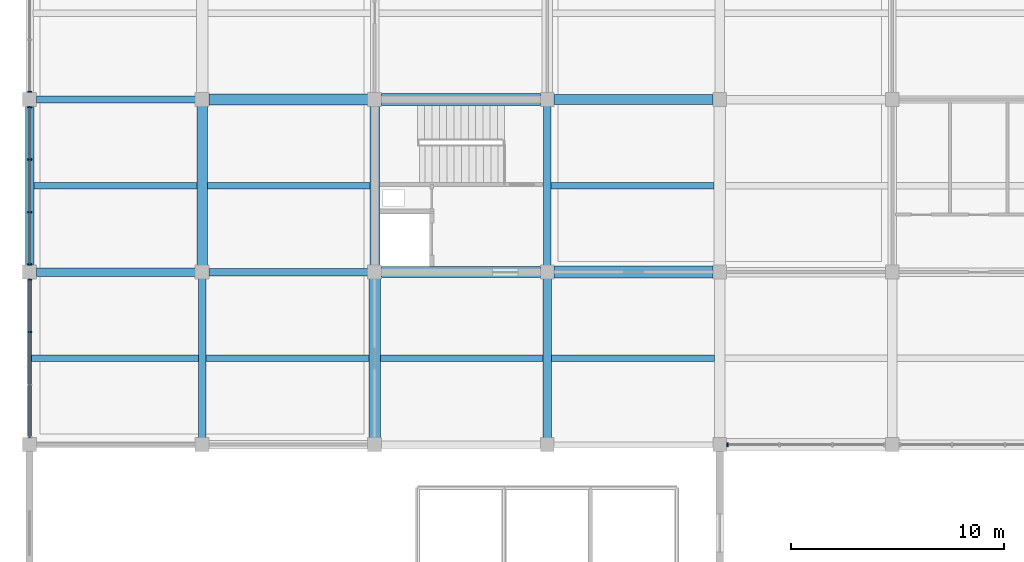
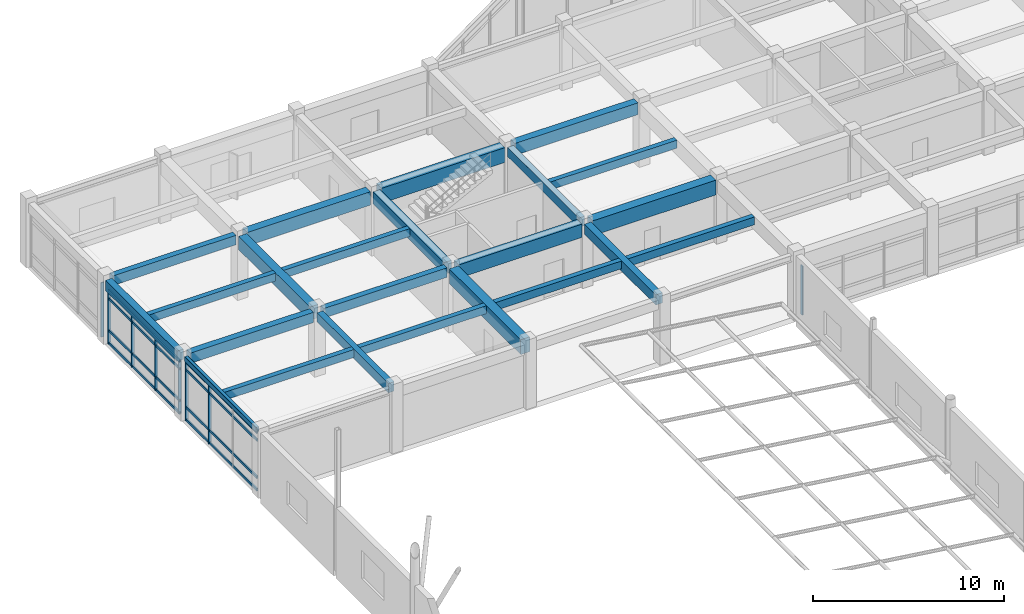
# One storey, part 31 of 89: 23 beams, 16 members, 4 elements without a shape of their own.
"""IFC4 building model written with IfcOpenShell, lengths in metres."""

from ifc_helpers import new_model, si_unit, direction, frame, origin, origin_2d, place, context, subcontext, project, spatial, rectangle, hollow_rectangle, extrude, material, layer, layer_set, material_profile, profile_set, type_object, element, aggregate, save


model = new_model("IFC4")

# Units and contexts
model_context = context("Model", 3, precision=1e-05, world=origin(), true_north=direction((0.0, 1.0)))
body_context = subcontext(model_context, "Body", "Model", "MODEL_VIEW")
ifc_project = project(units=[si_unit("LENGTHUNIT", "METRE"), si_unit("AREAUNIT", "SQUARE_METRE"), si_unit("VOLUMEUNIT", "CUBIC_METRE"), si_unit("PLANEANGLEUNIT", "RADIAN"), si_unit("MASSUNIT", "GRAM", prefix="KILO")], contexts=[model_context])

# Site, building, storey
site_placement = place(None, origin())
site = spatial("IfcSite", under=ifc_project, at=site_placement, CompositionType="ELEMENT")
building_placement = place(site_placement, origin())
building = spatial("IfcBuilding", under=site, at=building_placement, Name="Vaudrelin Polytechnic", CompositionType="ELEMENT")
storey_placement = place(building_placement, frame((0.0, 0.0, 9.68994140625)))
storey = spatial("IfcBuildingStorey", under=building, at=storey_placement, Name="L02", CompositionType="ELEMENT", Elevation=9.68994140625)

# Beams
ifc_material_1 = material(Name="Concrete 40 MPa", Category="concrete")
ifc_material_profile_1 = material_profile(ifc_material_1, rectangle(XDim=0.35009765625, YDim=0.60009765625, at=origin_2d()), Name="RC350x600")
ifc_profile_set_1 = profile_set([ifc_material_profile_1], Name="Concrete 40 MPa")
beam_type_1 = type_object("IfcBeamType", Name="BM-BM-RC3560", PredefinedType="BEAM", material=ifc_profile_set_1)
for number, where, z_axis, x_axis, name in (
    (1, (8.10009765625, 97.510009765625, 3.780029296875), (0.0, 1.0, 0.0), (-1.0, 0.0, 0.0), "L02 Y-beam 2-13"),
    (2, (24.300048828125, 105.610107421875, 3.780029296875), (0.0, 1.0, 0.0), (-1.0, 0.0, 0.0), "L02 Y-beam 4-14"),
):
    element("IfcBeam", number, at=place(storey_placement, frame(where, z_axis=z_axis, x_axis=x_axis)), inside=storey, type_object=beam_type_1, Name=name, PredefinedType="BEAM", context=body_context, shape_type="SweptSolid", body=[
        extrude(rectangle(XDim=0.35009765625, YDim=0.60009765625, at=origin_2d()), origin(), (0.0, 0.0, 1.0), 7.47998046875),
    ])
for number, where, z_axis, x_axis, name in (
    (3, (0.321044921875, 113.39990234375, 3.780029296875), (1.0, 0.0, 0.0), (0.0, 1.0, 0.0), "L02 X-beam 1-15"),
    (4, (8.4208984375, 105.300048828125, 3.780029296875), (1.0, 0.0, 0.0), (0.0, 1.0, 0.0), "L02 X-beam 2-14"),
):
    element("IfcBeam", number, at=place(storey_placement, frame(where, z_axis=z_axis, x_axis=x_axis)), inside=storey, type_object=beam_type_1, Name=name, PredefinedType="BEAM", context=body_context, shape_type="SweptSolid", body=[
        extrude(rectangle(XDim=0.35009765625, YDim=0.60009765625, at=origin_2d()), origin(), (0.0, 0.0, 1.0), 7.4580078125),
    ])
ifc_material_profile_2 = material_profile(ifc_material_1, rectangle(XDim=0.39990234375, YDim=0.64990234375, at=origin_2d()), Name="RC400x650")
ifc_profile_set_2 = profile_set([ifc_material_profile_2], Name="Concrete 40 MPa")
beam_type_2 = type_object("IfcBeamType", Name="BM-BM-RC4065", PredefinedType="BEAM", material=ifc_profile_set_2)
for number, where, z_axis, x_axis, name in (
    (5, (0.0, 105.610107421875, 3.755126953125), (0.0, 1.0, 0.0), (-1.0, 0.0, 0.0), "L02 Y-beam 1-14"),
    (6, (24.300048828125, 97.510009765625, 3.755126953125), (0.0, 1.0, 0.0), (-1.0, 0.0, 0.0), "L02 Y-beam 4-13"),
):
    element("IfcBeam", number, at=place(storey_placement, frame(where, z_axis=z_axis, x_axis=x_axis)), inside=storey, type_object=beam_type_2, Name=name, PredefinedType="BEAM", context=body_context, shape_type="SweptSolid", body=[
        extrude(rectangle(XDim=0.39990234375, YDim=0.64990234375, at=origin_2d()), origin(), (0.0, 0.0, 1.0), 7.47998046875),
    ])
beam_1_placement = place(storey_placement, frame((0.321044921875, 105.300048828125, 3.755126953125), z_axis=(1.0, 0.0, 0.0), x_axis=(0.0, 1.0, 0.0)))
element("IfcBeam", 7, at=beam_1_placement, inside=storey, type_object=beam_type_2, Name="L02 X-beam 1-14", PredefinedType="BEAM", context=body_context, shape_type="SweptSolid", body=[
    extrude(rectangle(XDim=0.39990234375, YDim=0.64990234375, at=origin_2d()), origin(), (0.0, 0.0, 1.0), 7.4580078125),
])
ifc_material_profile_3 = material_profile(ifc_material_1, rectangle(XDim=0.449951171875, YDim=0.75, at=origin_2d()), Name="RC450x750")
ifc_profile_set_3 = profile_set([ifc_material_profile_3], Name="Concrete 40 MPa")
beam_type_3 = type_object("IfcBeamType", Name="BM-BM-RC4575", PredefinedType="BEAM", material=ifc_profile_set_3)
beam_2_placement = place(storey_placement, frame((16.199951171875, 105.610107421875, 3.705078125), z_axis=(0.0, 1.0, 0.0), x_axis=(-1.0, 0.0, 0.0)))
element("IfcBeam", 8, at=beam_2_placement, inside=storey, type_object=beam_type_3, Name="L02 Y-beam 3-14", PredefinedType="BEAM", context=body_context, shape_type="SweptSolid", body=[
    extrude(rectangle(XDim=0.449951171875, YDim=0.75, at=origin_2d()), origin(), (0.0, 0.0, 1.0), 7.47998046875),
])
beam_3_placement = place(storey_placement, frame((24.62109375, 113.39990234375, 3.705078125), z_axis=(1.0, 0.0, 0.0), x_axis=(0.0, 1.0, 0.0)))
element("IfcBeam", 9, at=beam_3_placement, inside=storey, type_object=beam_type_3, Name="L02 X-beam 4-15", PredefinedType="BEAM", context=body_context, shape_type="SweptSolid", body=[
    extrude(rectangle(XDim=0.449951171875, YDim=0.75, at=origin_2d()), origin(), (0.0, 0.0, 1.0), 7.4580078125),
])
ifc_material_profile_4 = material_profile(ifc_material_1, rectangle(XDim=0.5, YDim=0.85009765625, at=origin_2d()), Name="RC500x850")
ifc_profile_set_4 = profile_set([ifc_material_profile_4], Name="Concrete 40 MPa")
beam_type_4 = type_object("IfcBeamType", Name="BM-BM-RC5085", PredefinedType="BEAM", material=ifc_profile_set_4)
beam_4_placement = place(storey_placement, frame((8.10009765625, 105.610107421875, 3.655029296875), z_axis=(0.0, 1.0, 0.0), x_axis=(-1.0, 0.0, 0.0)))
element("IfcBeam", 10, at=beam_4_placement, inside=storey, type_object=beam_type_4, Name="L02 Y-beam 2-14", PredefinedType="BEAM", context=body_context, shape_type="SweptSolid", body=[
    extrude(rectangle(XDim=0.5, YDim=0.85009765625, at=origin_2d()), origin(), (0.0, 0.0, 1.0), 7.47998046875),
])
for number, where, z_axis, x_axis, name in (
    (11, (8.4208984375, 113.39990234375, 3.655029296875), (1.0, 0.0, 0.0), (0.0, 1.0, 0.0), "L02 X-beam 2-15"),
    (12, (16.52099609375, 105.300048828125, 3.655029296875), (1.0, 0.0, 0.0), (0.0, 1.0, 0.0), "L02 X-beam 3-14"),
):
    element("IfcBeam", number, at=place(storey_placement, frame(where, z_axis=z_axis, x_axis=x_axis)), inside=storey, type_object=beam_type_4, Name=name, PredefinedType="BEAM", context=body_context, shape_type="SweptSolid", body=[
        extrude(rectangle(XDim=0.5, YDim=0.85009765625, at=origin_2d()), origin(), (0.0, 0.0, 1.0), 7.4580078125),
    ])
ifc_material_2 = material(Name="Concrete 50 MPa", Category="concrete")
ifc_material_profile_5 = material_profile(ifc_material_2, rectangle(XDim=0.550048828125, YDim=0.949951171875, at=origin_2d()), Name="RC550x950")
ifc_profile_set_5 = profile_set([ifc_material_profile_5], Name="Concrete 50 MPa")
beam_type_5 = type_object("IfcBeamType", Name="BM-BM-RC5595", PredefinedType="BEAM", material=ifc_profile_set_5)
beam_5_placement = place(storey_placement, frame((16.199951171875, 97.510009765625, 3.60498046875), z_axis=(0.0, 1.0, 0.0), x_axis=(-1.0, 0.0, 0.0)))
element("IfcBeam", 13, at=beam_5_placement, inside=storey, type_object=beam_type_5, Name="L02 Y-beam 3-13", PredefinedType="BEAM", context=body_context, shape_type="SweptSolid", body=[
    extrude(rectangle(XDim=0.550048828125, YDim=0.949951171875, at=origin_2d()), origin(), (0.0, 0.0, 1.0), 7.47998046875),
])
for number, where, z_axis, x_axis, name in (
    (14, (16.52099609375, 113.39990234375, 3.60498046875), (1.0, 0.0, 0.0), (0.0, 1.0, 0.0), "L02 X-beam 3-15"),
    (15, (24.62109375, 105.300048828125, 3.60498046875), (1.0, 0.0, 0.0), (0.0, 1.0, 0.0), "L02 X-beam 4-14"),
):
    element("IfcBeam", number, at=place(storey_placement, frame(where, z_axis=z_axis, x_axis=x_axis)), inside=storey, type_object=beam_type_5, Name=name, PredefinedType="BEAM", context=body_context, shape_type="SweptSolid", body=[
        extrude(rectangle(XDim=0.550048828125, YDim=0.949951171875, at=origin_2d()), origin(), (0.0, 0.0, 1.0), 7.4580078125),
    ])
ifc_material_profile_6 = material_profile(ifc_material_1, rectangle(XDim=0.300048828125, YDim=0.5, at=origin_2d()), Name="RC300x500")
ifc_profile_set_6 = profile_set([ifc_material_profile_6], Name="Concrete 40 MPa")
beam_type_6 = type_object("IfcBeamType", Name="BM-JS-RC3050", PredefinedType="JOIST", material=ifc_profile_set_6)
beam_6_placement = place(storey_placement, frame((0.097412109375, 101.25, 3.830078125), z_axis=(1.0, 0.0, 0.0), x_axis=(0.0, 1.0, 0.0)))
element("IfcBeam", 16, at=beam_6_placement, inside=storey, type_object=beam_type_6, Name="L02 floor joist 1-13", PredefinedType="JOIST", context=body_context, shape_type="SweptSolid", body=[
    extrude(rectangle(XDim=0.300048828125, YDim=0.5, at=origin_2d()), origin(), (0.0, 0.0, 1.0), 7.83154296875),
])
for number, where, z_axis, x_axis, name in (
    (17, (0.196044921875, 109.35009765625, 3.830078125), (1.0, 0.0, 0.0), (0.0, 1.0, 0.0), "L02 floor joist 1-14"),
    (18, (8.27099609375, 101.25, 3.830078125), (1.0, 0.0, 0.0), (0.0, 1.0, 0.0), "L02 floor joist 2-13"),
):
    element("IfcBeam", number, at=place(storey_placement, frame(where, z_axis=z_axis, x_axis=x_axis)), inside=storey, type_object=beam_type_6, Name=name, PredefinedType="JOIST", context=body_context, shape_type="SweptSolid", body=[
        extrude(rectangle(XDim=0.300048828125, YDim=0.5, at=origin_2d()), origin(), (0.0, 0.0, 1.0), 7.657958984375),
    ])
for number, where, z_axis, x_axis, name in (
    (19, (8.345947265625, 109.35009765625, 3.830078125), (1.0, 0.0, 0.0), (0.0, 1.0, 0.0), "L02 floor joist 2-14"),
    (20, (16.470947265625, 101.25, 3.830078125), (1.0, 0.0, 0.0), (0.0, 1.0, 0.0), "L02 floor joist 3-13"),
):
    element("IfcBeam", number, at=place(storey_placement, frame(where, z_axis=z_axis, x_axis=x_axis)), inside=storey, type_object=beam_type_6, Name=name, PredefinedType="JOIST", context=body_context, shape_type="SweptSolid", body=[
        extrude(rectangle(XDim=0.300048828125, YDim=0.5, at=origin_2d()), origin(), (0.0, 0.0, 1.0), 7.633056640625),
    ])
for number, where, z_axis, x_axis, name in (
    (21, (24.49609375, 101.25, 3.830078125), (1.0, 0.0, 0.0), (0.0, 1.0, 0.0), "L02 floor joist 4-13"),
    (22, (24.470947265625, 109.35009765625, 3.830078125), (1.0, 0.0, 0.0), (0.0, 1.0, 0.0), "L02 floor joist 4-14"),
):
    element("IfcBeam", number, at=place(storey_placement, frame(where, z_axis=z_axis, x_axis=x_axis)), inside=storey, type_object=beam_type_6, Name=name, PredefinedType="JOIST", context=body_context, shape_type="SweptSolid", body=[
        extrude(rectangle(XDim=0.300048828125, YDim=0.5, at=origin_2d()), origin(), (0.0, 0.0, 1.0), 7.657958984375),
    ])
ifc_material_3 = material(Name="Steel CSA G40.21 350WT", Category="steel")
ifc_material_profile_7 = material_profile(ifc_material_3, hollow_rectangle(XDim=0.202880859375, YDim=0.304931640625, WallThickness=0.010986328125, InnerFilletRadius=0.010986328125, OuterFilletRadius=0.022216796875, at=origin_2d()), Name="HSS305x203x11.1")
ifc_profile_set_7 = profile_set([ifc_material_profile_7], Name="Steel CSA G40.21 350WT")
beam_type_7 = type_object("IfcBeamType", Name="BM-SP-HSS30", PredefinedType="SPANDREL", material=ifc_profile_set_7)
beam_7_placement = place(storey_placement, frame((0.0, 97.510009765625, 3.927490234375), z_axis=(0.0, 1.0, 0.0), x_axis=(-1.0, 0.0, 0.0)))
element("IfcBeam", 23, at=beam_7_placement, inside=storey, type_object=beam_type_7, Name="L02 Y-beam 1-13", PredefinedType="SPANDREL", context=body_context, shape_type="SweptSolid", body=[
    extrude(hollow_rectangle(XDim=0.202880859375, YDim=0.304931640625, WallThickness=0.010986328125, InnerFilletRadius=0.010986328125, OuterFilletRadius=0.022216796875, at=origin_2d()), origin(), (0.0, 0.0, 1.0), 7.47998046875),
])

# Curtain wall, members
ifc_material_4 = material(Name="Thermally broken anodised aluminium AA 6063-T6 and low-e triple glazing", Category="aluminium")
ifc_layer = layer(ifc_material_4, 0.199951171875)
ifc_layer_set = layer_set([ifc_layer], Name="Thermally broken anodised aluminium AA 6063-T6 and low-e triple glazing")
curtain_wall_type = type_object("IfcCurtainWallType", Name="CW-CW-LIB", PredefinedType="USERDEFINED", material=ifc_layer_set)
curtain_wall_1_placement = place(storey_placement, origin())
curtain_wall_1 = element("IfcCurtainWall", 24, at=curtain_wall_1_placement, inside=storey, type_object=curtain_wall_type, Name="Curtain wall L02 W_V5_00", ObjectType="CURTAIN WALL", PredefinedType="USERDEFINED")
ifc_material_5 = material(Name="Anodised aluminium AA 6063-T6", Category="aluminium")
ifc_material_profile_8 = material_profile(ifc_material_5, rectangle(XDim=0.06494140625, YDim=0.179931640625, at=origin_2d()), Name="CWM-65x180")
ifc_profile_set_8 = profile_set([ifc_material_profile_8], Name="Anodised aluminium AA 6063-T6")
member_type_1 = type_object("IfcMemberType", Name="MEM-CWM-180", PredefinedType="MULLION", material=ifc_profile_set_8)
member_1_placement = place(storey_placement, frame((0.0, 102.4921875, 0.0), z_axis=(0.0, 0.0, 1.0), x_axis=(0.0, 1.0, 0.0)))
member_1 = element("IfcMember", 25, at=member_1_placement, type_object=member_type_1, Name="W_V5_00 mullion 3", PredefinedType="MULLION", context=body_context, shape_type="SweptSolid", body=[
    extrude(rectangle(XDim=0.06494140625, YDim=0.179931640625, at=origin_2d()), origin(), (0.0, 0.0, 1.0), 3.777099609375),
])
member_2_placement = place(storey_placement, frame((0.0, 104.93701171875, 0.0), z_axis=(0.0, 0.0, 1.0), x_axis=(0.0, 1.0, 0.0)))
member_2 = element("IfcMember", 26, at=member_2_placement, type_object=member_type_1, Name="W_V5_00 mullion 4", PredefinedType="MULLION", context=body_context, shape_type="SweptSolid", body=[
    extrude(rectangle(XDim=0.06494140625, YDim=0.179931640625, at=origin_2d()), origin(), (0.0, 0.0, 1.0), 3.777099609375),
])

curtain_wall_2_placement = place(storey_placement, origin())
curtain_wall_2 = element("IfcCurtainWall", 27, at=curtain_wall_2_placement, inside=storey, type_object=curtain_wall_type, Name="Curtain wall L02 W_V5_01", ObjectType="CURTAIN WALL", PredefinedType="USERDEFINED")
member_3_placement = place(storey_placement, frame((0.0, 105.6630859375, 0.0), z_axis=(0.0, 0.0, 1.0), x_axis=(0.0, 1.0, 0.0)))
member_3 = element("IfcMember", 28, at=member_3_placement, type_object=member_type_1, Name="W_V5_01 mullion 1", PredefinedType="MULLION", context=body_context, shape_type="SweptSolid", body=[
    extrude(rectangle(XDim=0.06494140625, YDim=0.179931640625, at=origin_2d()), origin(), (0.0, 0.0, 1.0), 3.43212890625),
])
member_4_placement = place(storey_placement, frame((0.0, 108.107666015625, 0.0), z_axis=(0.0, 0.0, 1.0), x_axis=(0.0, 1.0, 0.0)))
member_4 = element("IfcMember", 29, at=member_4_placement, type_object=member_type_1, Name="W_V5_01 mullion 2", PredefinedType="MULLION", context=body_context, shape_type="SweptSolid", body=[
    extrude(rectangle(XDim=0.06494140625, YDim=0.179931640625, at=origin_2d()), origin(), (0.0, 0.0, 1.0), 3.43212890625),
])
member_5_placement = place(storey_placement, frame((0.0, 110.59228515625, 0.0), z_axis=(0.0, 0.0, 1.0), x_axis=(0.0, 1.0, 0.0)))
member_5 = element("IfcMember", 30, at=member_5_placement, type_object=member_type_1, Name="W_V5_01 mullion 3", PredefinedType="MULLION", context=body_context, shape_type="SweptSolid", body=[
    extrude(rectangle(XDim=0.06494140625, YDim=0.179931640625, at=origin_2d()), origin(), (0.0, 0.0, 1.0), 3.43212890625),
])
member_6_placement = place(storey_placement, frame((0.0, 113.037109375, 0.0), z_axis=(0.0, 0.0, 1.0), x_axis=(0.0, 1.0, 0.0)))
member_6 = element("IfcMember", 31, at=member_6_placement, type_object=member_type_1, Name="W_V5_01 mullion 4", PredefinedType="MULLION", context=body_context, shape_type="SweptSolid", body=[
    extrude(rectangle(XDim=0.06494140625, YDim=0.179931640625, at=origin_2d()), origin(), (0.0, 0.0, 1.0), 3.43212890625),
])

# Curtain wall, member
curtain_wall_3_placement = place(storey_placement, origin())
curtain_wall_3 = element("IfcCurtainWall", 32, at=curtain_wall_3_placement, inside=storey, type_object=curtain_wall_type, Name="Curtain wall L02 W_V5_02", ObjectType="CURTAIN WALL", PredefinedType="USERDEFINED")
member_7_placement = place(storey_placement, frame((0.0, 113.762939453125, 0.0), z_axis=(0.0, 0.0, 1.0), x_axis=(0.0, 1.0, 0.0)))
member_7 = element("IfcMember", 33, at=member_7_placement, type_object=member_type_1, Name="W_V5_02 mullion 1", PredefinedType="MULLION", context=body_context, shape_type="SweptSolid", body=[
    extrude(rectangle(XDim=0.06494140625, YDim=0.179931640625, at=origin_2d()), origin(), (0.0, 0.0, 1.0), 3.482177734375),
])
aggregate(curtain_wall_3, [member_7])

curtain_wall_4_placement = place(storey_placement, origin())
curtain_wall_4 = element("IfcCurtainWall", 34, at=curtain_wall_4_placement, inside=storey, type_object=curtain_wall_type, Name="Curtain wall L02 CT_N_00", ObjectType="CURTAIN WALL", PredefinedType="USERDEFINED")
member_8_placement = place(storey_placement, frame((32.762939453125, 97.199951171875, 0.0), z_axis=(0.0, 0.0, 1.0), x_axis=(1.0, 0.0, 0.0)))
member_8 = element("IfcMember", 35, at=member_8_placement, type_object=member_type_1, Name="CT_N_00 mullion 1", PredefinedType="MULLION", context=body_context, shape_type="SweptSolid", body=[
    extrude(rectangle(XDim=0.06494140625, YDim=0.179931640625, at=origin_2d()), origin(), (0.0, 0.0, 1.0), 3.132080078125),
])
aggregate(curtain_wall_4, [member_8])

# Member
ifc_material_profile_9 = material_profile(ifc_material_5, rectangle(XDim=0.074951171875, YDim=0.1650390625, at=origin_2d()), Name="CWT-75x165")
ifc_profile_set_9 = profile_set([ifc_material_profile_9], Name="Anodised aluminium AA 6063-T6")
member_type_2 = type_object("IfcMemberType", Name="MEM-CWT-165", PredefinedType="USERDEFINED", material=ifc_profile_set_9)
member_9_placement = place(storey_placement, frame((0.0, 97.52294921875, 0.050048828125), z_axis=(0.0, 1.0, 0.0), x_axis=(-1.0, 0.0, 0.0)))
member_9 = element("IfcMember", 36, at=member_9_placement, type_object=member_type_2, Name="W_V5_00 transom 1", ObjectType="TRANSOM", PredefinedType="USERDEFINED", context=body_context, shape_type="SweptSolid", body=[
    extrude(rectangle(XDim=0.074951171875, YDim=0.1650390625, at=origin_2d()), origin(), (0.0, 0.0, 1.0), 7.4541015625),
])

member_10_placement = place(storey_placement, frame((0.0, 97.52294921875, 0.85009765625), z_axis=(0.0, 1.0, 0.0), x_axis=(-1.0, 0.0, 0.0)))
member_10 = element("IfcMember", 37, at=member_10_placement, type_object=member_type_2, Name="W_V5_00 transom 2", ObjectType="TRANSOM", PredefinedType="USERDEFINED", context=body_context, shape_type="SweptSolid", body=[
    extrude(rectangle(XDim=0.074951171875, YDim=0.1650390625, at=origin_2d()), origin(), (0.0, 0.0, 1.0), 7.4541015625),
])

member_11_placement = place(storey_placement, frame((0.0, 97.52294921875, 3.22705078125), z_axis=(0.0, 1.0, 0.0), x_axis=(-1.0, 0.0, 0.0)))
member_11 = element("IfcMember", 38, at=member_11_placement, type_object=member_type_2, Name="W_V5_00 transom 3", ObjectType="TRANSOM", PredefinedType="USERDEFINED", context=body_context, shape_type="SweptSolid", body=[
    extrude(rectangle(XDim=0.074951171875, YDim=0.1650390625, at=origin_2d()), origin(), (0.0, 0.0, 1.0), 7.4541015625),
])

member_12_placement = place(storey_placement, frame((0.0, 97.52294921875, 3.72705078125), z_axis=(0.0, 1.0, 0.0), x_axis=(-1.0, 0.0, 0.0)))
member_12 = element("IfcMember", 39, at=member_12_placement, type_object=member_type_2, Name="W_V5_00 transom 4", ObjectType="TRANSOM", PredefinedType="USERDEFINED", context=body_context, shape_type="SweptSolid", body=[
    extrude(rectangle(XDim=0.074951171875, YDim=0.1650390625, at=origin_2d()), origin(), (0.0, 0.0, 1.0), 7.4541015625),
])

aggregate(curtain_wall_1, [member_1, member_2, member_9, member_10, member_11, member_12])

member_13_placement = place(storey_placement, frame((0.0, 105.623046875, 0.050048828125), z_axis=(0.0, 1.0, 0.0), x_axis=(-1.0, 0.0, 0.0)))
member_13 = element("IfcMember", 40, at=member_13_placement, type_object=member_type_2, Name="W_V5_01 transom 1", ObjectType="TRANSOM", PredefinedType="USERDEFINED", context=body_context, shape_type="SweptSolid", body=[
    extrude(rectangle(XDim=0.074951171875, YDim=0.1650390625, at=origin_2d()), origin(), (0.0, 0.0, 1.0), 7.453857421875),
])

member_14_placement = place(storey_placement, frame((0.0, 105.623046875, 0.85009765625), z_axis=(0.0, 1.0, 0.0), x_axis=(-1.0, 0.0, 0.0)))
member_14 = element("IfcMember", 41, at=member_14_placement, type_object=member_type_2, Name="W_V5_01 transom 2", ObjectType="TRANSOM", PredefinedType="USERDEFINED", context=body_context, shape_type="SweptSolid", body=[
    extrude(rectangle(XDim=0.074951171875, YDim=0.1650390625, at=origin_2d()), origin(), (0.0, 0.0, 1.0), 7.453857421875),
])

member_15_placement = place(storey_placement, frame((0.0, 105.623046875, 2.882080078125), z_axis=(0.0, 1.0, 0.0), x_axis=(-1.0, 0.0, 0.0)))
member_15 = element("IfcMember", 42, at=member_15_placement, type_object=member_type_2, Name="W_V5_01 transom 3", ObjectType="TRANSOM", PredefinedType="USERDEFINED", context=body_context, shape_type="SweptSolid", body=[
    extrude(rectangle(XDim=0.074951171875, YDim=0.1650390625, at=origin_2d()), origin(), (0.0, 0.0, 1.0), 7.453857421875),
])

member_16_placement = place(storey_placement, frame((0.0, 105.623046875, 3.382080078125), z_axis=(0.0, 1.0, 0.0), x_axis=(-1.0, 0.0, 0.0)))
member_16 = element("IfcMember", 43, at=member_16_placement, type_object=member_type_2, Name="W_V5_01 transom 4", ObjectType="TRANSOM", PredefinedType="USERDEFINED", context=body_context, shape_type="SweptSolid", body=[
    extrude(rectangle(XDim=0.074951171875, YDim=0.1650390625, at=origin_2d()), origin(), (0.0, 0.0, 1.0), 7.453857421875),
])

aggregate(curtain_wall_2, [member_3, member_4, member_5, member_6, member_13, member_14, member_15, member_16])

save(model, "model.ifc")
